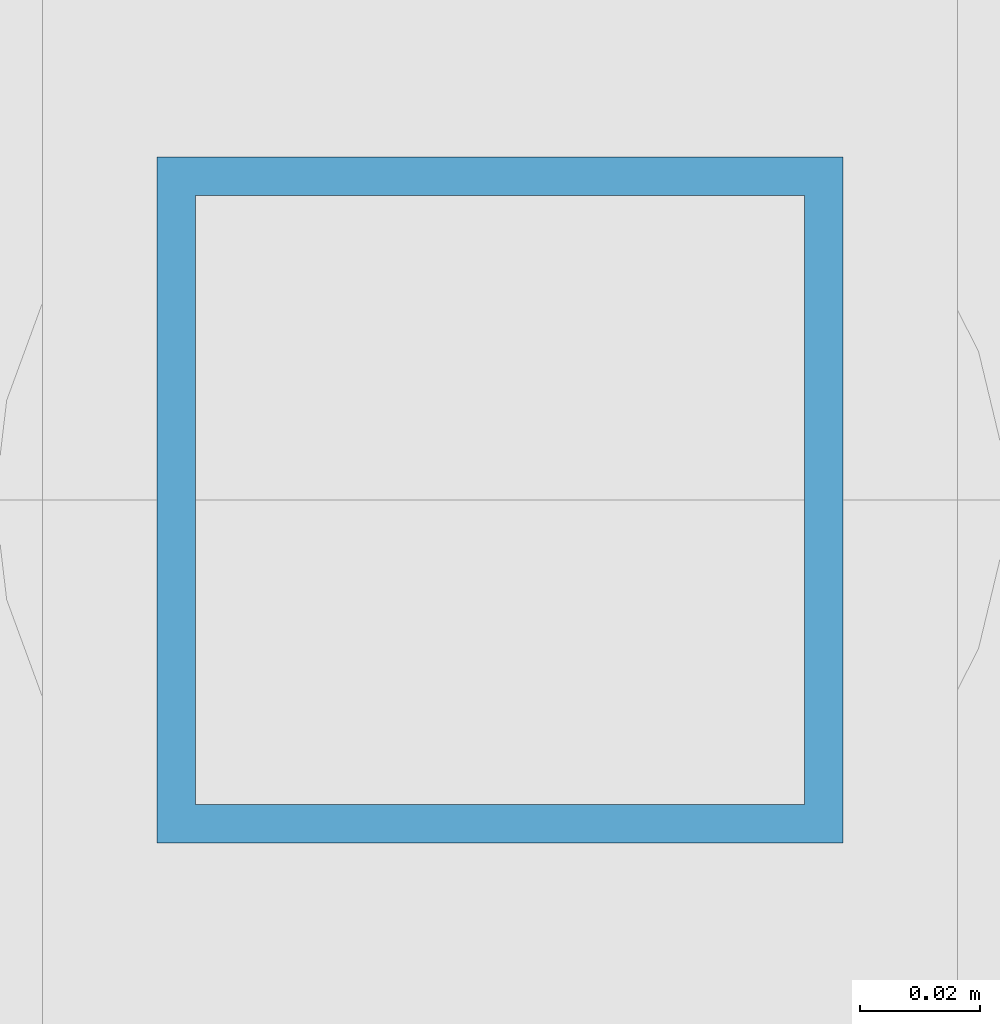
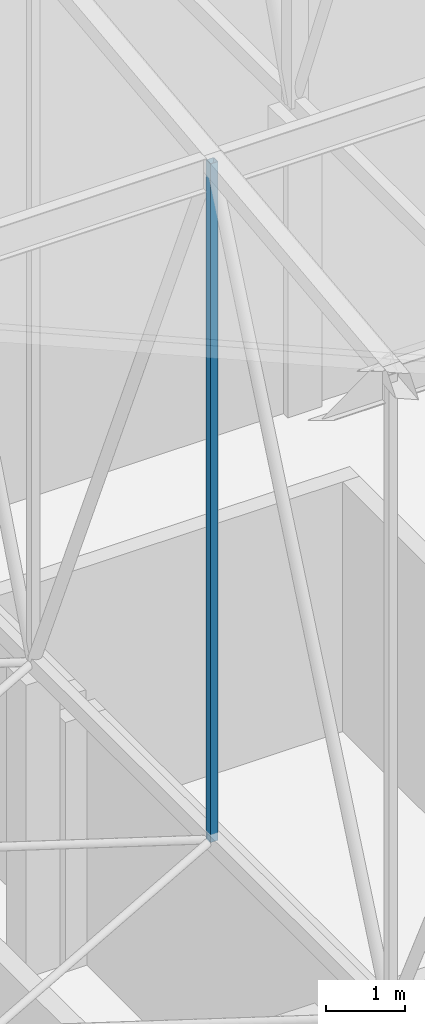
# One storey, part 23 of 500: 1 member.
"""IFC4 building model written with IfcOpenShell, lengths in metres."""

import ifcopenshell
import ifcopenshell.guid

model = None  # the IFC model being written
_history = None  # IfcOwnerHistory: only IFC2X3 demands one
_inside = {}  # id of a spatial element -> (the spatial element, [elements in it])
_under = {}  # id of a project, library or spatial element -> (it, [spatial elements below it])
_declared = {}  # id of a project -> (the project, [libraries it declares])
_typed = {}  # id of a type object -> (the type object, [elements of that type])
_made_of = {}  # id of a material, layer set ... -> (it, [elements and type objects made of it])


def new_model(schema):
    """Start an empty IFC model of exactly this schema.

    Asked for "IFC4X3", IfcOpenShell would pick the latest addendum, in which some entities
    have other attributes; the version numbers below select the first issue.
    IFC2X3 requires an IfcOwnerHistory on every rooted entity: one is made here for all.
    """
    global model, _history
    if schema == "IFC4X3":
        model = ifcopenshell.file(schema_version=(4, 3, 0, 0))
    else:
        model = ifcopenshell.file(schema=schema)
    _inside.clear()
    _under.clear()
    _declared.clear()
    _typed.clear()
    _made_of.clear()
    _history = None
    if model.schema == "IFC2X3":
        org = make("IfcOrganization", Name="unknown")
        user = make(
            "IfcPersonAndOrganization",
            ThePerson=make("IfcPerson", FamilyName="unknown"),
            TheOrganization=org,
        )
        app = make(
            "IfcApplication",
            ApplicationDeveloper=org,
            Version="unknown",
            ApplicationFullName="unknown",
            ApplicationIdentifier="unknown",
        )
        _history = make(
            "IfcOwnerHistory",
            OwningUser=user,
            OwningApplication=app,
            ChangeAction="ADDED",
            CreationDate=0,
        )
    return model


def make(cls, **values):
    """One entity of the class cls with the attributes given. An attribute that is None is left unset."""
    return model.create_entity(
        cls, **{name: value for name, value in values.items() if value is not None}
    )


def rooted(cls, **values):
    """An entity with a GlobalId (a new one), such as an element, a storey or a relation."""
    return make(cls, GlobalId=ifcopenshell.guid.new(), OwnerHistory=_history, **values)


def si_unit(unit_type, name, prefix=None):
    """IfcSIUnit, for example si_unit("LENGTHUNIT", "METRE", prefix="MILLI")."""
    return make("IfcSIUnit", UnitType=unit_type, Prefix=prefix, Name=name)


def assignment(units):
    """IfcUnitAssignment: the units of a project."""
    return None if units is None else make("IfcUnitAssignment", Units=units)


def point(xyz):
    """IfcCartesianPoint."""
    return None if xyz is None else make("IfcCartesianPoint", Coordinates=xyz)


def direction(xyz):
    """IfcDirection."""
    return None if xyz is None else make("IfcDirection", DirectionRatios=xyz)


def frame(location, z_axis=None, x_axis=None):
    """IfcAxis2Placement3D, a coordinate frame: its origin and axes. An axis left out is left unset."""
    return make(
        "IfcAxis2Placement3D",
        Location=point(location),
        Axis=direction(z_axis),
        RefDirection=direction(x_axis),
    )


def frame_2d(location, x_axis=None):
    """IfcAxis2Placement2D, a coordinate frame in the plane: its origin and x axis."""
    return make(
        "IfcAxis2Placement2D", Location=point(location), RefDirection=direction(x_axis)
    )


def origin():
    """The frame at (0, 0, 0) with its axes left unset."""
    return frame((0.0, 0.0, 0.0))


def origin_2d():
    """The frame at (0, 0) in the plane with its x axis left unset."""
    return frame_2d((0.0, 0.0))


def place(relative_to, where):
    """IfcLocalPlacement: puts the frame where relative to a parent placement (None: the world)."""
    return make(
        "IfcLocalPlacement", PlacementRelTo=relative_to, RelativePlacement=where
    )


def context(
    kind, dimensions, precision=None, world=None, true_north=None, identifier=None
):
    """IfcGeometricRepresentationContext, for example the 3D "Model" context."""
    return make(
        "IfcGeometricRepresentationContext",
        ContextIdentifier=identifier,
        ContextType=kind,
        CoordinateSpaceDimension=dimensions,
        Precision=precision,
        WorldCoordinateSystem=world,
        TrueNorth=true_north,
    )


def subcontext(parent, identifier, kind, view, scale=None):
    """IfcGeometricRepresentationSubContext, for example "Body" below "Model"."""
    return make(
        "IfcGeometricRepresentationSubContext",
        ContextIdentifier=identifier,
        ContextType=kind,
        ParentContext=parent,
        TargetScale=scale,
        TargetView=view,
    )


def project(units=None, contexts=None):
    """IfcProject with its units and contexts."""
    return rooted(
        "IfcProject",
        Name="project",
        RepresentationContexts=contexts,
        UnitsInContext=assignment(units),
    )


def spatial(cls, under=None, at=None, **own):
    """A site, building, storey or space (cls), placed at a placement, below another one or the project."""
    s = rooted(cls, ObjectPlacement=at, **own)
    if under is not None:
        _under.setdefault(under.id(), (under, []))[1].append(s)
    return s


def profile(cls, at=None, kind="AREA", **sizes):
    """A parametric profile (cls). Its sizes go by their IFC names, for example OverallWidth=200.0."""
    return make(cls, ProfileType=kind, Position=at, **sizes)


def hollow_rectangle(**sizes):
    """IfcRectangleHollowProfileDef."""
    return profile("IfcRectangleHollowProfileDef", **sizes)


def extrude(swept, where, along, depth):
    """IfcExtrudedAreaSolid: the profile swept, set in the frame where, extruded along a direction by depth."""
    return make(
        "IfcExtrudedAreaSolid",
        SweptArea=swept,
        Position=where,
        ExtrudedDirection=direction(along),
        Depth=depth,
    )


def shape(context_of_items, identifier, shape_type, items):
    """IfcShapeRepresentation: the items that make up one representation, for example the "Body"."""
    return make(
        "IfcShapeRepresentation",
        ContextOfItems=context_of_items,
        RepresentationIdentifier=identifier,
        RepresentationType=shape_type,
        Items=items,
    )


def material(Name=None, Category=None):
    """IfcMaterial."""
    return make("IfcMaterial", Name=Name, Category=Category)


def material_profile(
    of_material, cross_section, Name=None, Category=None, Priority=None
):
    """IfcMaterialProfile: a cross section and its material."""
    return make(
        "IfcMaterialProfile",
        Name=Name,
        Material=of_material,
        Profile=cross_section,
        Priority=Priority,
        Category=Category,
    )


def profile_set(profiles, Name=None, composite=None):
    """IfcMaterialProfileSet."""
    return make(
        "IfcMaterialProfileSet",
        Name=Name,
        MaterialProfiles=profiles,
        CompositeProfile=composite,
    )


def made_of(thing, what):
    """Note that an element or type object is made of a material, layer set ...; save() writes the relation."""
    if what is not None:
        _made_of.setdefault(what.id(), (what, []))[1].append(thing)
    return thing


def type_object(cls, material=None, **own):
    """A type object (cls), such as IfcWallType, which elements share."""
    return made_of(rooted(cls, **own), material)


def element(
    cls,
    number,
    at=None,
    inside=None,
    cuts=None,
    type_object=None,
    material=None,
    context=None,
    identifier="Body",
    shape_type=None,
    held_by="IfcProductDefinitionShape",
    body=None,
    shapes=None,
    **own,
):
    """One element of the class cls, such as IfcWall. Its Tag is "e" and its number.

    at: its placement. inside: the storey or other place that contains it. cuts: it is an
    opening in that element (IfcRelVoidsElement). A single representation is given by context,
    identifier, shape_type and body (its items); several are given by shapes. held_by: the class
    of the entity that holds the representations. save() writes the other relations.
    """
    e = rooted(cls, Tag="e%d" % number, ObjectPlacement=at, **own)
    if body is not None:
        shapes = [shape(context, identifier, shape_type, body)]
    if shapes is not None:
        e.Representation = make(held_by, Representations=shapes)
    if inside is not None:
        _inside.setdefault(inside.id(), (inside, []))[1].append(e)
    if cuts is not None:
        rooted(
            "IfcRelVoidsElement", RelatingBuildingElement=cuts, RelatedOpeningElement=e
        )
    if type_object is not None:
        _typed.setdefault(type_object.id(), (type_object, []))[1].append(e)
    return made_of(e, material)


def aggregate(whole, parts):
    """IfcRelAggregates: a whole, such as a stair, and the parts it consists of."""
    return rooted("IfcRelAggregates", RelatingObject=whole, RelatedObjects=parts)


def save(model, path):
    """Write the relations noted so far, then the file.

    IfcRelAggregates (storeys below a building ...), IfcRelContainedInSpatialStructure (elements
    in a storey), IfcRelDefinesByType, IfcRelAssociatesMaterial and IfcRelDeclares: one each for
    every whole, place, type object, material and project.
    """
    for whole, parts in _under.values():
        aggregate(whole, parts)
    for where, things in _inside.values():
        rooted(
            "IfcRelContainedInSpatialStructure",
            RelatedElements=things,
            RelatingStructure=where,
        )
    for kind, things in _typed.values():
        rooted("IfcRelDefinesByType", RelatedObjects=things, RelatingType=kind)
    for what, things in _made_of.values():
        rooted("IfcRelAssociatesMaterial", RelatedObjects=things, RelatingMaterial=what)
    for by, libraries in _declared.values():
        rooted("IfcRelDeclares", RelatingContext=by, RelatedDefinitions=libraries)
    model.write(path)


model = new_model("IFC4")

# Units and contexts
model_context = context("Model", 3, precision=1e-05, world=origin(), true_north=direction((0.0, 1.0)))
body_context = subcontext(model_context, "Body", "Model", "MODEL_VIEW")
ifc_project = project(units=[si_unit("LENGTHUNIT", "METRE"), si_unit("AREAUNIT", "SQUARE_METRE"), si_unit("VOLUMEUNIT", "CUBIC_METRE"), si_unit("PLANEANGLEUNIT", "RADIAN"), si_unit("MASSUNIT", "GRAM", prefix="KILO")], contexts=[model_context])

# Site, building, storey
site_placement = place(None, origin())
site = spatial("IfcSite", under=ifc_project, at=site_placement, CompositionType="ELEMENT")
building_placement = place(site_placement, origin())
building = spatial("IfcBuilding", under=site, at=building_placement, Name="Shirokan Park Arena", CompositionType="ELEMENT")
storey_placement = place(building_placement, frame((0.0, 0.0, 29.1201171875)))
storey = spatial("IfcBuildingStorey", under=building, at=storey_placement, Name="L06", CompositionType="ELEMENT", Elevation=29.1201171875)

# Member
ifc_material = material(Name="Steel ASTM A500 Grade C", Category="steel")
ifc_material_profile = material_profile(ifc_material, hollow_rectangle(XDim=0.114013671875, YDim=0.114013671875, WallThickness=0.00634765625, at=origin_2d()), Name="HSS114.3X114.3X6.4")
ifc_profile_set = profile_set([ifc_material_profile], Name="Steel ASTM A500 Grade C")
member_type = type_object("IfcMemberType", Name="Truss post HSS114.3X114.3X6.4", PredefinedType="POST", material=ifc_profile_set)
member_placement = place(storey_placement, frame((9.10009765625, 22.75, 4.677001953125), z_axis=(0.0, 0.0, 1.0), x_axis=(1.0, 0.0, 0.0)))
element("IfcMember", 1, at=member_placement, inside=storey, type_object=member_type, Name="Truss T02 post 8", PredefinedType="POST", context=body_context, shape_type="SweptSolid", body=[
    extrude(hollow_rectangle(XDim=0.114013671875, YDim=0.114013671875, WallThickness=0.00634765625, at=origin_2d()), origin(), (0.0, 0.0, 1.0), 10.5458984375),
])

save(model, "model.ifc")
